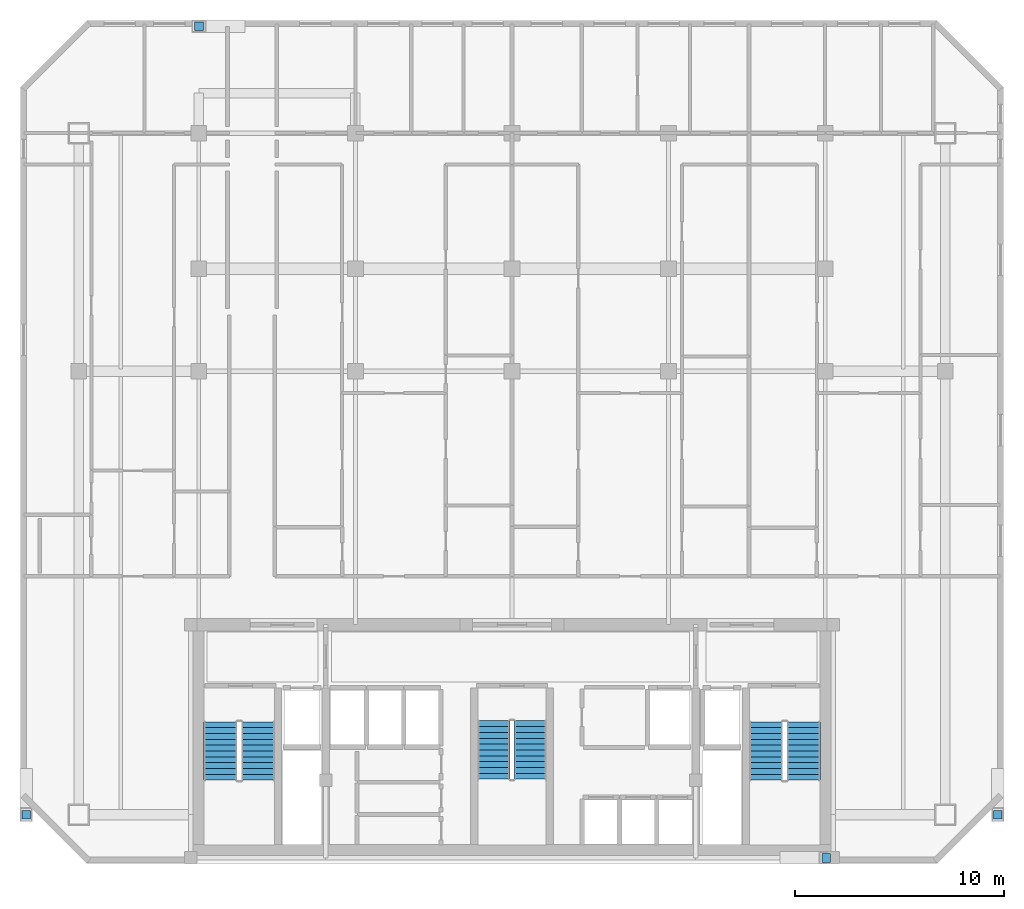
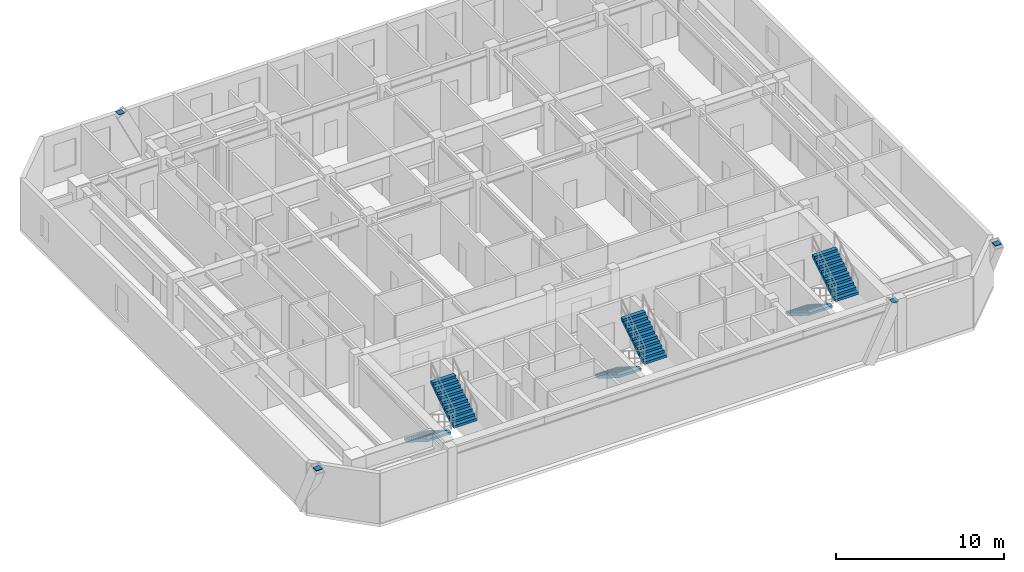
# One storey, part 8 of 9: 6 stair flights, 4 discrete accessories, 3 elements without a shape of their own.
"""IFC4 building model written with IfcOpenShell, lengths in metres."""

from ifc_helpers import new_model, si_unit, direction, frame, origin, origin_2d, place, context, subcontext, project, spatial, polyline, rectangle, outline, extrude, material, type_object, element, aggregate, save


model = new_model("IFC4")

# Units and contexts
model_context = context("Model", 3, precision=1e-05, world=origin(), true_north=direction((0.0, 1.0)))
body_context = subcontext(model_context, "Body", "Model", "MODEL_VIEW")
ifc_project = project(units=[si_unit("LENGTHUNIT", "METRE"), si_unit("AREAUNIT", "SQUARE_METRE"), si_unit("VOLUMEUNIT", "CUBIC_METRE"), si_unit("PLANEANGLEUNIT", "RADIAN"), si_unit("MASSUNIT", "GRAM", prefix="KILO")], contexts=[model_context])

# Site, building, storey
site_placement = place(None, origin())
site = spatial("IfcSite", under=ifc_project, at=site_placement, CompositionType="ELEMENT")
building_placement = place(site_placement, origin())
building = spatial("IfcBuilding", under=site, at=building_placement, Name="Ventersveld Concourse Tower", CompositionType="ELEMENT")
storey_placement = place(building_placement, frame((0.0, 0.0, 215.699951171875)))
storey = spatial("IfcBuildingStorey", under=building, at=storey_placement, Name="L53", CompositionType="ELEMENT", Elevation=215.699951171875)

# Stair, stair flights
ifc_material_1 = material(Name="Concrete C50/60", Category="concrete")
stair_type_1 = type_object("IfcStairType", Name="ST-DOG-155", PredefinedType="HALF_TURN_STAIR", material=ifc_material_1)
stair_1_placement = place(storey_placement, origin())
stair_1 = element("IfcStair", 1, at=stair_1_placement, inside=storey, type_object=stair_type_1, Name="L53 Protected Central Core Escape Stair ST-03", PredefinedType="HALF_TURN_STAIR")
stair_flight_type_1 = type_object("IfcStairFlightType", Name="STF-RC-155", PredefinedType="STRAIGHT", material=ifc_material_1)
stair_flight_1_placement = place(storey_placement, frame((27.875, 6.85009765625, 0.0), z_axis=(0.0, 0.0, 1.0), x_axis=(0.0, -1.0, 0.0)))
stair_flight_1 = element("IfcStairFlight", 2, at=stair_flight_1_placement, type_object=stair_flight_type_1, Name="ST-03 flight 1", NumberOfRisers=11, NumberOfTreads=10, PredefinedType="STRAIGHT", RiserHeight=0.175, TreadLength=0.28, context=body_context, shape_type="SweptSolid", body=[
    extrude(outline(polyline([(0.0, 0.0), (0.0, 0.175048828125), (0.280029296875, 0.175048828125), (0.280029296875, 0.35009765625), (0.56005859375, 0.35009765625), (0.56005859375, 0.52490234375), (0.840087890625, 0.52490234375), (0.840087890625, 0.699951171875), (1.1201171875, 0.699951171875), (1.1201171875, 0.875), (1.39990234375, 0.875), (1.39990234375, 1.050048828125), (1.679931640625, 1.050048828125), (1.679931640625, 1.22509765625), (1.9599609375, 1.22509765625), (1.9599609375, 1.39990234375), (2.239990234375, 1.39990234375), (2.239990234375, 1.574951171875), (2.52001953125, 1.574951171875), (2.52001953125, 1.75), (2.800048828125, 1.75), (2.800048828125, 1.925048828125), (2.800048828125, 1.5732421875), (0.28271484375, 0.0), (0.0, 0.0)])), frame((0.0, 0.77490234375, 0.0), z_axis=(0.0, -1.0, 0.0), x_axis=(1.0, 0.0, 0.0)), (0.0, 0.0, 1.0), 1.550048828125),
])
stair_flight_2_placement = place(storey_placement, frame((29.625, 4.050048828125, 1.925048828125), z_axis=(0.0, 0.0, 1.0), x_axis=(0.0, 1.0, 0.0)))
stair_flight_2 = element("IfcStairFlight", 3, at=stair_flight_2_placement, type_object=stair_flight_type_1, Name="ST-03 flight 2", NumberOfRisers=11, NumberOfTreads=10, PredefinedType="STRAIGHT", RiserHeight=0.175, TreadLength=0.28, context=body_context, shape_type="SweptSolid", body=[
    extrude(outline(polyline([(0.0, 0.0), (0.0, 0.175048828125), (0.280029296875, 0.175048828125), (0.280029296875, 0.35009765625), (0.56005859375, 0.35009765625), (0.56005859375, 0.52490234375), (0.840087890625, 0.52490234375), (0.840087890625, 0.699951171875), (1.1201171875, 0.699951171875), (1.1201171875, 0.875), (1.39990234375, 0.875), (1.39990234375, 1.050048828125), (1.679931640625, 1.050048828125), (1.679931640625, 1.22509765625), (1.9599609375, 1.22509765625), (1.9599609375, 1.39990234375), (2.239990234375, 1.39990234375), (2.239990234375, 1.574951171875), (2.52001953125, 1.574951171875), (2.52001953125, 1.75), (2.800048828125, 1.75), (2.800048828125, 1.925048828125), (2.800048828125, 1.5732421875), (0.28271484375, 0.0), (0.0, 0.0)])), frame((0.0, 0.77490234375, 0.0), z_axis=(0.0, -1.0, 0.0), x_axis=(1.0, 0.0, 0.0)), (0.0, 0.0, 1.0), 1.550048828125),
])
aggregate(stair_1, [stair_flight_1, stair_flight_2])

stair_type_2 = type_object("IfcStairType", Name="ST-DOG-160", PredefinedType="HALF_TURN_STAIR", material=ifc_material_1)
stair_2_placement = place(storey_placement, origin())
stair_2 = element("IfcStair", 4, at=stair_2_placement, inside=storey, type_object=stair_type_2, Name="L53 Protected Tower Escape Stair ST-01", PredefinedType="HALF_TURN_STAIR")
stair_flight_type_2 = type_object("IfcStairFlightType", Name="STF-RC-160", PredefinedType="STRAIGHT", material=ifc_material_1)
stair_flight_3_placement = place(storey_placement, frame((14.780029296875, 6.800048828125, 0.0), z_axis=(0.0, 0.0, 1.0), x_axis=(0.0, -1.0, 0.0)))
stair_flight_3 = element("IfcStairFlight", 5, at=stair_flight_3_placement, type_object=stair_flight_type_2, Name="ST-01 flight 1", NumberOfRisers=11, NumberOfTreads=10, PredefinedType="STRAIGHT", RiserHeight=0.175, TreadLength=0.28, context=body_context, shape_type="SweptSolid", body=[
    extrude(outline(polyline([(0.0, 0.0), (0.0, 0.175048828125), (0.280029296875, 0.175048828125), (0.280029296875, 0.35009765625), (0.56005859375, 0.35009765625), (0.56005859375, 0.52490234375), (0.840087890625, 0.52490234375), (0.840087890625, 0.699951171875), (1.1201171875, 0.699951171875), (1.1201171875, 0.875), (1.39990234375, 0.875), (1.39990234375, 1.050048828125), (1.679931640625, 1.050048828125), (1.679931640625, 1.22509765625), (1.9599609375, 1.22509765625), (1.9599609375, 1.39990234375), (2.239990234375, 1.39990234375), (2.239990234375, 1.574951171875), (2.52001953125, 1.574951171875), (2.52001953125, 1.75), (2.800048828125, 1.75), (2.800048828125, 1.925048828125), (2.800048828125, 1.5732421875), (0.28271484375, 0.0), (0.0, 0.0)])), frame((0.0, 0.800048828125, 0.0), z_axis=(0.0, -1.0, 0.0), x_axis=(1.0, 0.0, 0.0)), (0.0, 0.0, 1.0), 1.60009765625),
])
stair_flight_4_placement = place(storey_placement, frame((16.580078125, 4.0, 1.925048828125), z_axis=(0.0, 0.0, 1.0), x_axis=(0.0, 1.0, 0.0)))
stair_flight_4 = element("IfcStairFlight", 6, at=stair_flight_4_placement, type_object=stair_flight_type_2, Name="ST-01 flight 2", NumberOfRisers=11, NumberOfTreads=10, PredefinedType="STRAIGHT", RiserHeight=0.175, TreadLength=0.28, context=body_context, shape_type="SweptSolid", body=[
    extrude(outline(polyline([(0.0, 0.0), (0.0, 0.175048828125), (0.280029296875, 0.175048828125), (0.280029296875, 0.35009765625), (0.56005859375, 0.35009765625), (0.56005859375, 0.52490234375), (0.840087890625, 0.52490234375), (0.840087890625, 0.699951171875), (1.1201171875, 0.699951171875), (1.1201171875, 0.875), (1.39990234375, 0.875), (1.39990234375, 1.050048828125), (1.679931640625, 1.050048828125), (1.679931640625, 1.22509765625), (1.9599609375, 1.22509765625), (1.9599609375, 1.39990234375), (2.239990234375, 1.39990234375), (2.239990234375, 1.574951171875), (2.52001953125, 1.574951171875), (2.52001953125, 1.75), (2.800048828125, 1.75), (2.800048828125, 1.925048828125), (2.800048828125, 1.5732421875), (0.28271484375, 0.0), (0.0, 0.0)])), frame((0.0, 0.800048828125, 0.0), z_axis=(0.0, -1.0, 0.0), x_axis=(1.0, 0.0, 0.0)), (0.0, 0.0, 1.0), 1.60009765625),
])
aggregate(stair_2, [stair_flight_3, stair_flight_4])

stair_3_placement = place(storey_placement, origin())
stair_3 = element("IfcStair", 7, at=stair_3_placement, inside=storey, type_object=stair_type_2, Name="L53 Protected Tower Escape Stair ST-02", PredefinedType="HALF_TURN_STAIR")
stair_flight_5_placement = place(storey_placement, frame((40.919921875, 6.800048828125, 0.0), z_axis=(0.0, 0.0, 1.0), x_axis=(0.0, -1.0, 0.0)))
stair_flight_5 = element("IfcStairFlight", 8, at=stair_flight_5_placement, type_object=stair_flight_type_2, Name="ST-02 flight 1", NumberOfRisers=11, NumberOfTreads=10, PredefinedType="STRAIGHT", RiserHeight=0.175, TreadLength=0.28, context=body_context, shape_type="SweptSolid", body=[
    extrude(outline(polyline([(0.0, 0.0), (0.0, 0.175048828125), (0.280029296875, 0.175048828125), (0.280029296875, 0.35009765625), (0.56005859375, 0.35009765625), (0.56005859375, 0.52490234375), (0.840087890625, 0.52490234375), (0.840087890625, 0.699951171875), (1.1201171875, 0.699951171875), (1.1201171875, 0.875), (1.39990234375, 0.875), (1.39990234375, 1.050048828125), (1.679931640625, 1.050048828125), (1.679931640625, 1.22509765625), (1.9599609375, 1.22509765625), (1.9599609375, 1.39990234375), (2.239990234375, 1.39990234375), (2.239990234375, 1.574951171875), (2.52001953125, 1.574951171875), (2.52001953125, 1.75), (2.800048828125, 1.75), (2.800048828125, 1.925048828125), (2.800048828125, 1.5732421875), (0.28271484375, 0.0), (0.0, 0.0)])), frame((0.0, 0.800048828125, 0.0), z_axis=(0.0, -1.0, 0.0), x_axis=(1.0, 0.0, 0.0)), (0.0, 0.0, 1.0), 1.60009765625),
])
stair_flight_6_placement = place(storey_placement, frame((42.719970703125, 4.0, 1.925048828125), z_axis=(0.0, 0.0, 1.0), x_axis=(0.0, 1.0, 0.0)))
stair_flight_6 = element("IfcStairFlight", 9, at=stair_flight_6_placement, type_object=stair_flight_type_2, Name="ST-02 flight 2", NumberOfRisers=11, NumberOfTreads=10, PredefinedType="STRAIGHT", RiserHeight=0.175, TreadLength=0.28, context=body_context, shape_type="SweptSolid", body=[
    extrude(outline(polyline([(0.0, 0.0), (0.0, 0.175048828125), (0.280029296875, 0.175048828125), (0.280029296875, 0.35009765625), (0.56005859375, 0.35009765625), (0.56005859375, 0.52490234375), (0.840087890625, 0.52490234375), (0.840087890625, 0.699951171875), (1.1201171875, 0.699951171875), (1.1201171875, 0.875), (1.39990234375, 0.875), (1.39990234375, 1.050048828125), (1.679931640625, 1.050048828125), (1.679931640625, 1.22509765625), (1.9599609375, 1.22509765625), (1.9599609375, 1.39990234375), (2.239990234375, 1.39990234375), (2.239990234375, 1.574951171875), (2.52001953125, 1.574951171875), (2.52001953125, 1.75), (2.800048828125, 1.75), (2.800048828125, 1.925048828125), (2.800048828125, 1.5732421875), (0.28271484375, 0.0), (0.0, 0.0)])), frame((0.0, 0.800048828125, 0.0), z_axis=(0.0, -1.0, 0.0), x_axis=(1.0, 0.0, 0.0)), (0.0, 0.0, 1.0), 1.60009765625),
])
aggregate(stair_3, [stair_flight_5, stair_flight_6])

# Discrete accessories
ifc_material_2 = material(Name="Structural steel S355J2", Category="steel")
discrete_accessory_type = type_object("IfcDiscreteAccessoryType", Name="CONN-BRACE-ECP1", PredefinedType="BRACKET", material=ifc_material_2)
for number, where, z_axis, x_axis, name in (
    (10, (13.75, 40.1201171875, 3.610107421875), (0.0, 0.0, 1.0), (1.0, 0.0, 0.0), "L53 Steel Brace End Connection Plate ECP1-0388"),
    (11, (43.800048828125, 0.280029296875, 3.610107421875), (0.0, 0.0, 1.0), (1.0, 0.0, 0.0), "L53 Steel Brace End Connection Plate ECP1-0392"),
    (12, (5.47998046875, 2.35009765625, 3.610107421875), (0.0, 0.0, 1.0), (1.0, 0.0, 0.0), "L53 Steel Brace End Connection Plate ECP1-0396"),
    (13, (52.02001953125, 2.35009765625, 3.610107421875), (0.0, 0.0, 1.0), (1.0, 0.0, 0.0), "L53 Steel Brace End Connection Plate ECP1-0400"),
):
    element("IfcDiscreteAccessory", number, at=place(storey_placement, frame(where, z_axis=z_axis, x_axis=x_axis)), inside=storey, type_object=discrete_accessory_type, Name=name, PredefinedType="BRACKET", context=body_context, shape_type="SweptSolid", body=[
        extrude(rectangle(XDim=0.419921875, YDim=0.419921875, at=origin_2d()), origin(), (0.0, 0.0, 1.0), 0.0400390625),
    ])

save(model, "model.ifc")
